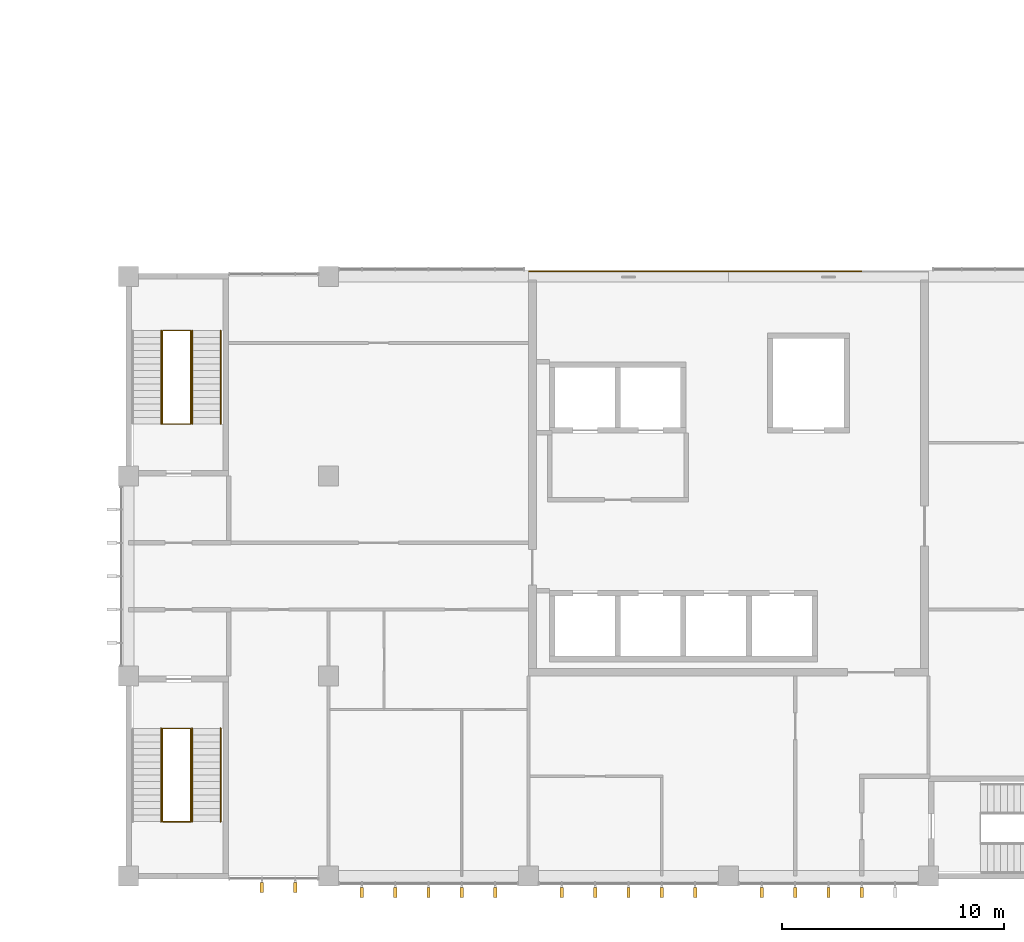
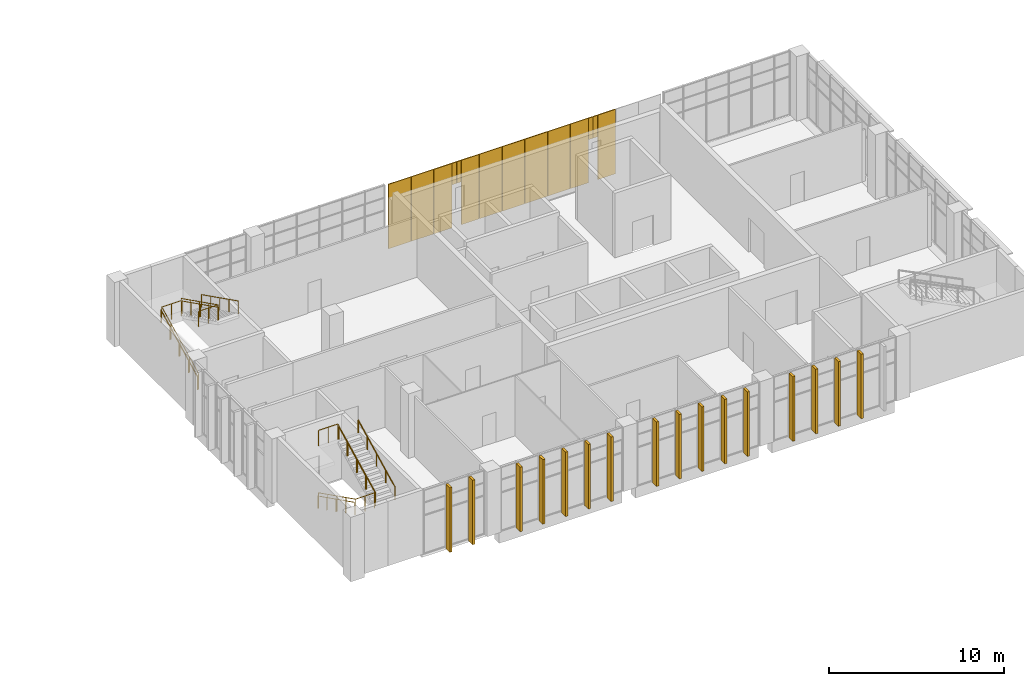
# One storey, part 43 of 45: 16 shading devices, 14 coverings, 8 railings.
"""IFC4 building model written with IfcOpenShell, lengths in metres."""

from ifc_helpers import new_model, si_unit, direction, frame, origin, origin_2d, place, context, subcontext, project, spatial, rectangle, circle, extrude, material, layer, layer_set, type_object, element, save


model = new_model("IFC4")

# Units and contexts
model_context = context("Model", 3, precision=1e-05, world=origin(), true_north=direction((0.0, 1.0)))
body_context = subcontext(model_context, "Body", "Model", "MODEL_VIEW")
ifc_project = project(units=[si_unit("LENGTHUNIT", "METRE"), si_unit("AREAUNIT", "SQUARE_METRE"), si_unit("VOLUMEUNIT", "CUBIC_METRE"), si_unit("PLANEANGLEUNIT", "RADIAN"), si_unit("MASSUNIT", "GRAM", prefix="KILO")], contexts=[model_context])

# Site, building, storey
site_placement = place(None, origin())
site = spatial("IfcSite", under=ifc_project, at=site_placement, CompositionType="ELEMENT")
building_placement = place(site_placement, origin())
building = spatial("IfcBuilding", under=site, at=building_placement, Name="Guidao Yard Department Store", CompositionType="ELEMENT")
storey_placement = place(building_placement, frame((0.0, 0.0, 19.5)))
storey = spatial("IfcBuildingStorey", under=building, at=storey_placement, Name="L04", CompositionType="ELEMENT", Elevation=19.5)

# Coverings
ifc_material_1 = material(Name="Anodised aluminium 6063-T5 cladding", Category="aluminium")
ifc_layer = layer(ifc_material_1, 0.050048828125)
ifc_layer_set = layer_set([ifc_layer], Name="Facade cladding CP1 anodised aluminium panel 6063")
covering_type = type_object("IfcCoveringType", Name="Facade cladding CP1 anodised aluminium panel 6063", PredefinedType="CLADDING", material=ifc_layer_set)
for number, where, z_axis, x_axis, name in (
    (1, (144.75, 27.22509765625, 0.0), (0.0, 0.0, 1.0), (1.0, 0.0, 0.0), "Core face cladding"),
    (2, (146.25, 27.22509765625, 0.0), (0.0, 0.0, 1.0), (1.0, 0.0, 0.0), "Core face cladding"),
):
    element("IfcCovering", number, at=place(storey_placement, frame(where, z_axis=z_axis, x_axis=x_axis)), inside=storey, type_object=covering_type, Name=name, PredefinedType="CLADDING", context=body_context, shape_type="SweptSolid", body=[
        extrude(rectangle(XDim=1.47998046875, YDim=0.050048828125, at=origin_2d()), origin(), (0.0, 0.0, 1.0), 4.5),
    ])
covering_1_placement = place(storey_placement, frame((147.60009765625, 27.22509765625, 0.0), z_axis=(0.0, 0.0, 1.0), x_axis=(1.0, 0.0, 0.0)))
element("IfcCovering", 3, at=covering_1_placement, inside=storey, type_object=covering_type, Name="Core face cladding", PredefinedType="CLADDING", context=body_context, shape_type="SweptSolid", body=[
    extrude(rectangle(XDim=1.179931640625, YDim=0.050048828125, at=origin_2d()), origin(), (0.0, 0.0, 1.0), 4.5),
])
for number, where, z_axis, x_axis, name in (
    (4, (148.35009765625, 27.22509765625, 3.0), (0.0, 0.0, 1.0), (1.0, 0.0, 0.0), "Core face cladding"),
    (5, (148.64990234375, 27.22509765625, 3.0), (0.0, 0.0, 1.0), (1.0, 0.0, 0.0), "Core face cladding"),
):
    element("IfcCovering", number, at=place(storey_placement, frame(where, z_axis=z_axis, x_axis=x_axis)), inside=storey, type_object=covering_type, Name=name, PredefinedType="CLADDING", context=body_context, shape_type="SweptSolid", body=[
        extrude(rectangle(XDim=0.280029296875, YDim=0.050048828125, at=origin_2d()), origin(), (0.0, 0.0, 1.0), 1.5),
    ])
covering_2_placement = place(storey_placement, frame((149.39990234375, 27.22509765625, 0.0), z_axis=(0.0, 0.0, 1.0), x_axis=(1.0, 0.0, 0.0)))
element("IfcCovering", 6, at=covering_2_placement, inside=storey, type_object=covering_type, Name="Core face cladding", PredefinedType="CLADDING", context=body_context, shape_type="SweptSolid", body=[
    extrude(rectangle(XDim=1.179931640625, YDim=0.050048828125, at=origin_2d()), origin(), (0.0, 0.0, 1.0), 4.5),
])
for number, where, z_axis, x_axis, name in (
    (7, (150.75, 27.22509765625, 0.0), (0.0, 0.0, 1.0), (1.0, 0.0, 0.0), "Core face cladding"),
    (8, (152.25, 27.22509765625, 0.0), (0.0, 0.0, 1.0), (1.0, 0.0, 0.0), "Core face cladding"),
    (9, (153.75, 27.22509765625, 0.0), (0.0, 0.0, 1.0), (1.0, 0.0, 0.0), "Core face cladding"),
    (10, (155.25, 27.22509765625, 0.0), (0.0, 0.0, 1.0), (1.0, 0.0, 0.0), "Core face cladding"),
):
    element("IfcCovering", number, at=place(storey_placement, frame(where, z_axis=z_axis, x_axis=x_axis)), inside=storey, type_object=covering_type, Name=name, PredefinedType="CLADDING", context=body_context, shape_type="SweptSolid", body=[
        extrude(rectangle(XDim=1.47998046875, YDim=0.050048828125, at=origin_2d()), origin(), (0.0, 0.0, 1.0), 4.5),
    ])
covering_3_placement = place(storey_placement, frame((156.60009765625, 27.22509765625, 0.0), z_axis=(0.0, 0.0, 1.0), x_axis=(1.0, 0.0, 0.0)))
element("IfcCovering", 11, at=covering_3_placement, inside=storey, type_object=covering_type, Name="Core face cladding", PredefinedType="CLADDING", context=body_context, shape_type="SweptSolid", body=[
    extrude(rectangle(XDim=1.179931640625, YDim=0.050048828125, at=origin_2d()), origin(), (0.0, 0.0, 1.0), 4.5),
])
for number, where, z_axis, x_axis, name in (
    (12, (157.35009765625, 27.22509765625, 3.0), (0.0, 0.0, 1.0), (1.0, 0.0, 0.0), "Core face cladding"),
    (13, (157.64990234375, 27.22509765625, 3.0), (0.0, 0.0, 1.0), (1.0, 0.0, 0.0), "Core face cladding"),
):
    element("IfcCovering", number, at=place(storey_placement, frame(where, z_axis=z_axis, x_axis=x_axis)), inside=storey, type_object=covering_type, Name=name, PredefinedType="CLADDING", context=body_context, shape_type="SweptSolid", body=[
        extrude(rectangle(XDim=0.280029296875, YDim=0.050048828125, at=origin_2d()), origin(), (0.0, 0.0, 1.0), 1.5),
    ])
covering_4_placement = place(storey_placement, frame((158.39990234375, 27.22509765625, 0.0), z_axis=(0.0, 0.0, 1.0), x_axis=(1.0, 0.0, 0.0)))
element("IfcCovering", 14, at=covering_4_placement, inside=storey, type_object=covering_type, Name="Core face cladding", PredefinedType="CLADDING", context=body_context, shape_type="SweptSolid", body=[
    extrude(rectangle(XDim=1.179931640625, YDim=0.050048828125, at=origin_2d()), origin(), (0.0, 0.0, 1.0), 4.5),
])

# Railings
ifc_material_2 = material(Name="Steel Q235", Category="steel")
railing_type_1 = type_object("IfcRailingType", Name="Guard steel balustrade 1100", PredefinedType="GUARDRAIL", material=ifc_material_2)
railing_1_placement = place(storey_placement, frame((127.52490234375, 6.64990234375, 0.14990234375)))
element("IfcRailing", 15, at=railing_1_placement, inside=storey, type_object=railing_type_1, Name="Stair O1 guard L04 9", PredefinedType="GUARDRAIL", context=body_context, shape_type="SweptSolid", body=[
    extrude(circle(Radius=0.02392578125, at=origin_2d()), frame((0.0, 0.0, 1.076171875), z_axis=(0.0, -0.894416792377, 0.447234392142), x_axis=(1.0, 0.0, 0.0)), (0.0, 0.0, 1.0), 4.69580078125),
    extrude(circle(Radius=0.02392578125, at=origin_2d()), frame((0.0, -4.199951171875, 3.17626953125), z_axis=(1.0, 0.0, 0.0), x_axis=(0.0, 1.0, 0.0)), (0.0, 0.0, 1.0), 1.275146484375),
    extrude(circle(Radius=0.02392578125, at=origin_2d()), frame((1.275146484375, -4.199951171875, 3.17626953125), z_axis=(0.0, 0.0, 1.0), x_axis=(1.0, 0.0, 0.0)), (0.0, 0.0, 1.0), 0.14990234375),
    extrude(circle(Radius=0.02392578125, at=origin_2d()), frame((1.275146484375, -4.199951171875, 3.326171875), z_axis=(0.0, 0.894416792377, 0.447234392142), x_axis=(-1.0, 0.0, 0.0)), (0.0, 0.0, 1.0), 4.69580078125),
    extrude(circle(Radius=0.02392578125, at=origin_2d()), frame((1.275146484375, 0.0, 5.42626953125), z_axis=(-1.0, 0.0, 0.0), x_axis=(0.0, -1.0, 0.0)), (0.0, 0.0, 1.0), 1.275146484375),
    extrude(circle(Radius=0.02099609375, at=origin_2d()), origin(), (0.0, 0.0, 1.0), 1.052001953125),
    extrude(circle(Radius=0.02099609375, at=origin_2d()), frame((0.0, -1.050048828125, 0.52490234375)), (0.0, 0.0, 1.0), 1.052001953125),
    extrude(circle(Radius=0.02099609375, at=origin_2d()), frame((0.0, -2.10009765625, 1.050048828125)), (0.0, 0.0, 1.0), 1.052001953125),
    extrude(circle(Radius=0.02099609375, at=origin_2d()), frame((0.0, -3.14990234375, 1.5751953125)), (0.0, 0.0, 1.0), 1.052001953125),
    extrude(circle(Radius=0.02099609375, at=origin_2d()), frame((0.0, -4.199951171875, 2.10009765625)), (0.0, 0.0, 1.0), 1.052001953125),
    extrude(circle(Radius=0.02099609375, at=origin_2d()), frame((0.6376953125, -4.199951171875, 2.10009765625)), (0.0, 0.0, 1.0), 1.052001953125),
    extrude(circle(Radius=0.02099609375, at=origin_2d()), frame((1.275146484375, -4.199951171875, 2.10009765625)), (0.0, 0.0, 1.0), 1.052001953125),
    extrude(circle(Radius=0.02099609375, at=origin_2d()), frame((1.275146484375, -4.199951171875, 2.25)), (0.0, 0.0, 1.0), 1.052001953125),
    extrude(circle(Radius=0.02099609375, at=origin_2d()), frame((1.275146484375, -3.14990234375, 2.77490234375)), (0.0, 0.0, 1.0), 1.052001953125),
    extrude(circle(Radius=0.02099609375, at=origin_2d()), frame((1.275146484375, -2.10009765625, 3.300048828125)), (0.0, 0.0, 1.0), 1.052001953125),
    extrude(circle(Radius=0.02099609375, at=origin_2d()), frame((1.275146484375, -1.050048828125, 3.8251953125)), (0.0, 0.0, 1.0), 1.052001953125),
    extrude(circle(Radius=0.02099609375, at=origin_2d()), frame((1.275146484375, 0.0, 4.35009765625)), (0.0, 0.0, 1.0), 1.052001953125),
    extrude(circle(Radius=0.02099609375, at=origin_2d()), frame((0.6376953125, 0.0, 4.35009765625)), (0.0, 0.0, 1.0), 1.052001953125),
    extrude(circle(Radius=0.02099609375, at=origin_2d()), frame((0.0, 0.0, 4.35009765625)), (0.0, 0.0, 1.0), 1.052001953125),
])
railing_2_placement = place(storey_placement, frame((127.52490234375, 20.35009765625, 0.14990234375)))
element("IfcRailing", 16, at=railing_2_placement, inside=storey, type_object=railing_type_1, Name="Stair O3 guard L04 11", PredefinedType="GUARDRAIL", context=body_context, shape_type="SweptSolid", body=[
    extrude(circle(Radius=0.02392578125, at=origin_2d()), frame((0.0, 0.0, 1.076171875), z_axis=(0.0, 0.894416792377, 0.447234392142), x_axis=(-1.0, 0.0, 0.0)), (0.0, 0.0, 1.0), 4.69580078125),
    extrude(circle(Radius=0.02392578125, at=origin_2d()), frame((0.0, 4.199951171875, 3.17626953125), z_axis=(1.0, 0.0, 0.0), x_axis=(0.0, 1.0, 0.0)), (0.0, 0.0, 1.0), 1.275146484375),
    extrude(circle(Radius=0.02392578125, at=origin_2d()), frame((1.275146484375, 4.199951171875, 3.17626953125), z_axis=(0.0, 0.0, 1.0), x_axis=(1.0, 0.0, 0.0)), (0.0, 0.0, 1.0), 0.14990234375),
    extrude(circle(Radius=0.02392578125, at=origin_2d()), frame((1.275146484375, 4.199951171875, 3.326171875), z_axis=(0.0, -0.894416792377, 0.447234392142), x_axis=(1.0, 0.0, 0.0)), (0.0, 0.0, 1.0), 4.69580078125),
    extrude(circle(Radius=0.02392578125, at=origin_2d()), frame((1.275146484375, 0.0, 5.42626953125), z_axis=(-1.0, 0.0, 0.0), x_axis=(0.0, -1.0, 0.0)), (0.0, 0.0, 1.0), 1.275146484375),
    extrude(circle(Radius=0.02099609375, at=origin_2d()), origin(), (0.0, 0.0, 1.0), 1.052001953125),
    extrude(circle(Radius=0.02099609375, at=origin_2d()), frame((0.0, 1.050048828125, 0.52490234375)), (0.0, 0.0, 1.0), 1.052001953125),
    extrude(circle(Radius=0.02099609375, at=origin_2d()), frame((0.0, 2.10009765625, 1.050048828125)), (0.0, 0.0, 1.0), 1.052001953125),
    extrude(circle(Radius=0.02099609375, at=origin_2d()), frame((0.0, 3.14990234375, 1.5751953125)), (0.0, 0.0, 1.0), 1.052001953125),
    extrude(circle(Radius=0.02099609375, at=origin_2d()), frame((0.0, 4.199951171875, 2.10009765625)), (0.0, 0.0, 1.0), 1.052001953125),
    extrude(circle(Radius=0.02099609375, at=origin_2d()), frame((0.6376953125, 4.199951171875, 2.10009765625)), (0.0, 0.0, 1.0), 1.052001953125),
    extrude(circle(Radius=0.02099609375, at=origin_2d()), frame((1.275146484375, 4.199951171875, 2.10009765625)), (0.0, 0.0, 1.0), 1.052001953125),
    extrude(circle(Radius=0.02099609375, at=origin_2d()), frame((1.275146484375, 4.199951171875, 2.25)), (0.0, 0.0, 1.0), 1.052001953125),
    extrude(circle(Radius=0.02099609375, at=origin_2d()), frame((1.275146484375, 3.14990234375, 2.77490234375)), (0.0, 0.0, 1.0), 1.052001953125),
    extrude(circle(Radius=0.02099609375, at=origin_2d()), frame((1.275146484375, 2.10009765625, 3.300048828125)), (0.0, 0.0, 1.0), 1.052001953125),
    extrude(circle(Radius=0.02099609375, at=origin_2d()), frame((1.275146484375, 1.050048828125, 3.8251953125)), (0.0, 0.0, 1.0), 1.052001953125),
    extrude(circle(Radius=0.02099609375, at=origin_2d()), frame((1.275146484375, 0.0, 4.35009765625)), (0.0, 0.0, 1.0), 1.052001953125),
    extrude(circle(Radius=0.02099609375, at=origin_2d()), frame((0.6376953125, 0.0, 4.35009765625)), (0.0, 0.0, 1.0), 1.052001953125),
    extrude(circle(Radius=0.02099609375, at=origin_2d()), frame((0.0, 0.0, 4.35009765625)), (0.0, 0.0, 1.0), 1.052001953125),
])
ifc_material_3 = material(Name="Steel Q235", Category="steel")
railing_type_2 = type_object("IfcRailingType", Name="Handrail steel tube 48", PredefinedType="HANDRAIL", material=ifc_material_3)
railing_3_placement = place(storey_placement, frame((127.465087890625, 6.64990234375, 0.14990234375)))
element("IfcRailing", 17, at=railing_3_placement, inside=storey, type_object=railing_type_2, Name="Stair O1 hand rail L04 34", PredefinedType="HANDRAIL", context=body_context, shape_type="SweptSolid", body=[
    extrude(circle(Radius=0.02392578125, at=origin_2d()), frame((0.0, 0.0, 0.8759765625), z_axis=(0.0, -0.894416792377, 0.447234392142), x_axis=(1.0, 0.0, 0.0)), (0.0, 0.0, 1.0), 4.69580078125),
    extrude(circle(Radius=0.02099609375, at=origin_2d()), origin(), (0.0, 0.0, 1.0), 0.851806640625),
    extrude(circle(Radius=0.02099609375, at=origin_2d()), frame((0.0, -1.050048828125, 0.52490234375)), (0.0, 0.0, 1.0), 0.851806640625),
    extrude(circle(Radius=0.02099609375, at=origin_2d()), frame((0.0, -2.10009765625, 1.050048828125)), (0.0, 0.0, 1.0), 0.851806640625),
    extrude(circle(Radius=0.02099609375, at=origin_2d()), frame((0.0, -3.14990234375, 1.5751953125)), (0.0, 0.0, 1.0), 0.851806640625),
    extrude(circle(Radius=0.02099609375, at=origin_2d()), frame((0.0, -4.199951171875, 2.10009765625)), (0.0, 0.0, 1.0), 0.851806640625),
])
for number, where, name in (
    (18, (128.860107421875, 2.449951171875, 2.39990234375), "Stair O1 hand rail L04 35"),
    (19, (130.139892578125, 2.449951171875, 2.39990234375), "Stair O1 hand rail L04 36"),
    (20, (127.465087890625, 20.35009765625, 0.14990234375), "Stair O3 hand rail L04 42"),
):
    element("IfcRailing", number, at=place(storey_placement, frame(where)), inside=storey, type_object=railing_type_2, Name=name, PredefinedType="HANDRAIL", context=body_context, shape_type="SweptSolid", body=[
        extrude(circle(Radius=0.02392578125, at=origin_2d()), frame((0.0, 0.0, 0.8759765625), z_axis=(0.0, 0.894416792377, 0.447234392142), x_axis=(-1.0, 0.0, 0.0)), (0.0, 0.0, 1.0), 4.69580078125),
        extrude(circle(Radius=0.02099609375, at=origin_2d()), origin(), (0.0, 0.0, 1.0), 0.851806640625),
        extrude(circle(Radius=0.02099609375, at=origin_2d()), frame((0.0, 1.050048828125, 0.52490234375)), (0.0, 0.0, 1.0), 0.851806640625),
        extrude(circle(Radius=0.02099609375, at=origin_2d()), frame((0.0, 2.10009765625, 1.050048828125)), (0.0, 0.0, 1.0), 0.851806640625),
        extrude(circle(Radius=0.02099609375, at=origin_2d()), frame((0.0, 3.14990234375, 1.5751953125)), (0.0, 0.0, 1.0), 0.851806640625),
        extrude(circle(Radius=0.02099609375, at=origin_2d()), frame((0.0, 4.199951171875, 2.10009765625)), (0.0, 0.0, 1.0), 0.851806640625),
    ])
for number, where, name in (
    (21, (128.860107421875, 24.550048828125, 2.39990234375), "Stair O3 hand rail L04 43"),
    (22, (130.139892578125, 24.550048828125, 2.39990234375), "Stair O3 hand rail L04 44"),
):
    element("IfcRailing", number, at=place(storey_placement, frame(where)), inside=storey, type_object=railing_type_2, Name=name, PredefinedType="HANDRAIL", context=body_context, shape_type="SweptSolid", body=[
        extrude(circle(Radius=0.02392578125, at=origin_2d()), frame((0.0, 0.0, 0.8759765625), z_axis=(0.0, -0.894416792377, 0.447234392142), x_axis=(1.0, 0.0, 0.0)), (0.0, 0.0, 1.0), 4.69580078125),
        extrude(circle(Radius=0.02099609375, at=origin_2d()), origin(), (0.0, 0.0, 1.0), 0.851806640625),
        extrude(circle(Radius=0.02099609375, at=origin_2d()), frame((0.0, -1.050048828125, 0.52490234375)), (0.0, 0.0, 1.0), 0.851806640625),
        extrude(circle(Radius=0.02099609375, at=origin_2d()), frame((0.0, -2.10009765625, 1.050048828125)), (0.0, 0.0, 1.0), 0.851806640625),
        extrude(circle(Radius=0.02099609375, at=origin_2d()), frame((0.0, -3.14990234375, 1.5751953125)), (0.0, 0.0, 1.0), 0.851806640625),
        extrude(circle(Radius=0.02099609375, at=origin_2d()), frame((0.0, -4.199951171875, 2.10009765625)), (0.0, 0.0, 1.0), 0.851806640625),
    ])

# Shading devices
ifc_material_4 = material(Name="Aluminium 6063-T5", Category="aluminium")
shading_device_type = type_object("IfcShadingDeviceType", Name="Vertical fin FN2 aluminium 150 x 450", PredefinedType="SHUTTER", material=ifc_material_4)
for number, where, z_axis, x_axis, name in (
    (23, (132.0, -0.5048828125, 0.0), (0.0, 0.0, 1.0), (-1.0, 0.0, 0.0), "Vertical fin"),
    (24, (133.5, -0.5048828125, 0.0), (0.0, 0.0, 1.0), (-1.0, 0.0, 0.0), "Vertical fin"),
    (25, (136.5, -0.735107421875, 0.0), (0.0, 0.0, 1.0), (-1.0, 0.0, 0.0), "Vertical fin"),
    (26, (138.0, -0.735107421875, 0.0), (0.0, 0.0, 1.0), (-1.0, 0.0, 0.0), "Vertical fin"),
    (27, (139.5, -0.735107421875, 0.0), (0.0, 0.0, 1.0), (-1.0, 0.0, 0.0), "Vertical fin"),
    (28, (141.0, -0.735107421875, 0.0), (0.0, 0.0, 1.0), (-1.0, 0.0, 0.0), "Vertical fin"),
    (29, (142.5, -0.735107421875, 0.0), (0.0, 0.0, 1.0), (-1.0, 0.0, 0.0), "Vertical fin"),
    (30, (145.5, -0.735107421875, 0.0), (0.0, 0.0, 1.0), (-1.0, 0.0, 0.0), "Vertical fin"),
    (31, (147.0, -0.735107421875, 0.0), (0.0, 0.0, 1.0), (-1.0, 0.0, 0.0), "Vertical fin"),
    (32, (148.5, -0.735107421875, 0.0), (0.0, 0.0, 1.0), (-1.0, 0.0, 0.0), "Vertical fin"),
    (33, (150.0, -0.735107421875, 0.0), (0.0, 0.0, 1.0), (-1.0, 0.0, 0.0), "Vertical fin"),
    (34, (151.5, -0.735107421875, 0.0), (0.0, 0.0, 1.0), (-1.0, 0.0, 0.0), "Vertical fin"),
    (35, (154.5, -0.735107421875, 0.0), (0.0, 0.0, 1.0), (-1.0, 0.0, 0.0), "Vertical fin"),
    (36, (156.0, -0.735107421875, 0.0), (0.0, 0.0, 1.0), (-1.0, 0.0, 0.0), "Vertical fin"),
    (37, (157.5, -0.735107421875, 0.0), (0.0, 0.0, 1.0), (-1.0, 0.0, 0.0), "Vertical fin"),
    (38, (159.0, -0.735107421875, 0.0), (0.0, 0.0, 1.0), (-1.0, 0.0, 0.0), "Vertical fin"),
):
    element("IfcShadingDevice", number, at=place(storey_placement, frame(where, z_axis=z_axis, x_axis=x_axis)), inside=storey, type_object=shading_device_type, Name=name, PredefinedType="SHUTTER", context=body_context, shape_type="SweptSolid", body=[
        extrude(rectangle(XDim=0.14990234375, YDim=0.449951171875, at=origin_2d()), origin(), (0.0, 0.0, 1.0), 4.5),
    ])

save(model, "model.ifc")
